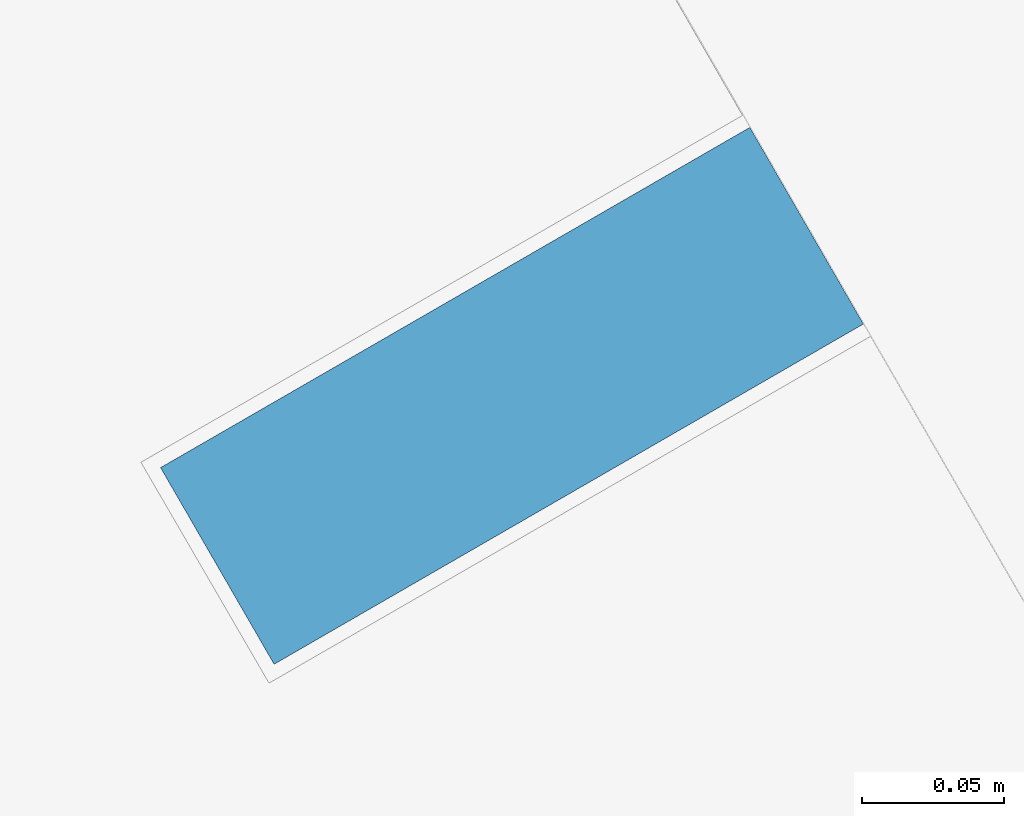
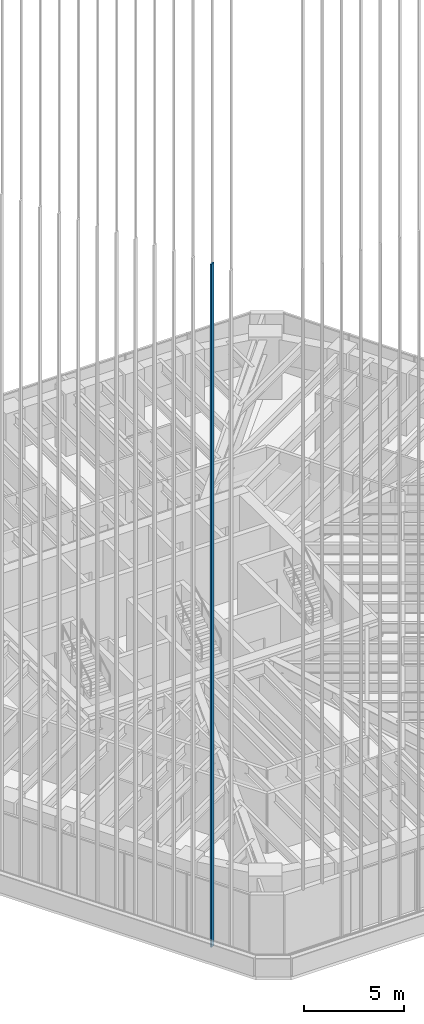
# One storey, part 10 of 127: 1 member, 1 element without a shape of its own.
"""IFC4 building model written with IfcOpenShell, lengths in metres."""

import ifcopenshell
import ifcopenshell.guid

model = None  # the IFC model being written
_history = None  # IfcOwnerHistory: only IFC2X3 demands one
_inside = {}  # id of a spatial element -> (the spatial element, [elements in it])
_under = {}  # id of a project, library or spatial element -> (it, [spatial elements below it])
_declared = {}  # id of a project -> (the project, [libraries it declares])
_typed = {}  # id of a type object -> (the type object, [elements of that type])
_made_of = {}  # id of a material, layer set ... -> (it, [elements and type objects made of it])


def new_model(schema):
    """Start an empty IFC model of exactly this schema.

    Asked for "IFC4X3", IfcOpenShell would pick the latest addendum, in which some entities
    have other attributes; the version numbers below select the first issue.
    IFC2X3 requires an IfcOwnerHistory on every rooted entity: one is made here for all.
    """
    global model, _history
    if schema == "IFC4X3":
        model = ifcopenshell.file(schema_version=(4, 3, 0, 0))
    else:
        model = ifcopenshell.file(schema=schema)
    _inside.clear()
    _under.clear()
    _declared.clear()
    _typed.clear()
    _made_of.clear()
    _history = None
    if model.schema == "IFC2X3":
        org = make("IfcOrganization", Name="unknown")
        user = make(
            "IfcPersonAndOrganization",
            ThePerson=make("IfcPerson", FamilyName="unknown"),
            TheOrganization=org,
        )
        app = make(
            "IfcApplication",
            ApplicationDeveloper=org,
            Version="unknown",
            ApplicationFullName="unknown",
            ApplicationIdentifier="unknown",
        )
        _history = make(
            "IfcOwnerHistory",
            OwningUser=user,
            OwningApplication=app,
            ChangeAction="ADDED",
            CreationDate=0,
        )
    return model


def make(cls, **values):
    """One entity of the class cls with the attributes given. An attribute that is None is left unset."""
    return model.create_entity(
        cls, **{name: value for name, value in values.items() if value is not None}
    )


def rooted(cls, **values):
    """An entity with a GlobalId (a new one), such as an element, a storey or a relation."""
    return make(cls, GlobalId=ifcopenshell.guid.new(), OwnerHistory=_history, **values)


def si_unit(unit_type, name, prefix=None):
    """IfcSIUnit, for example si_unit("LENGTHUNIT", "METRE", prefix="MILLI")."""
    return make("IfcSIUnit", UnitType=unit_type, Prefix=prefix, Name=name)


def assignment(units):
    """IfcUnitAssignment: the units of a project."""
    return None if units is None else make("IfcUnitAssignment", Units=units)


def point(xyz):
    """IfcCartesianPoint."""
    return None if xyz is None else make("IfcCartesianPoint", Coordinates=xyz)


def direction(xyz):
    """IfcDirection."""
    return None if xyz is None else make("IfcDirection", DirectionRatios=xyz)


def frame(location, z_axis=None, x_axis=None):
    """IfcAxis2Placement3D, a coordinate frame: its origin and axes. An axis left out is left unset."""
    return make(
        "IfcAxis2Placement3D",
        Location=point(location),
        Axis=direction(z_axis),
        RefDirection=direction(x_axis),
    )


def frame_2d(location, x_axis=None):
    """IfcAxis2Placement2D, a coordinate frame in the plane: its origin and x axis."""
    return make(
        "IfcAxis2Placement2D", Location=point(location), RefDirection=direction(x_axis)
    )


def origin():
    """The frame at (0, 0, 0) with its axes left unset."""
    return frame((0.0, 0.0, 0.0))


def origin_2d():
    """The frame at (0, 0) in the plane with its x axis left unset."""
    return frame_2d((0.0, 0.0))


def place(relative_to, where):
    """IfcLocalPlacement: puts the frame where relative to a parent placement (None: the world)."""
    return make(
        "IfcLocalPlacement", PlacementRelTo=relative_to, RelativePlacement=where
    )


def context(
    kind, dimensions, precision=None, world=None, true_north=None, identifier=None
):
    """IfcGeometricRepresentationContext, for example the 3D "Model" context."""
    return make(
        "IfcGeometricRepresentationContext",
        ContextIdentifier=identifier,
        ContextType=kind,
        CoordinateSpaceDimension=dimensions,
        Precision=precision,
        WorldCoordinateSystem=world,
        TrueNorth=true_north,
    )


def subcontext(parent, identifier, kind, view, scale=None):
    """IfcGeometricRepresentationSubContext, for example "Body" below "Model"."""
    return make(
        "IfcGeometricRepresentationSubContext",
        ContextIdentifier=identifier,
        ContextType=kind,
        ParentContext=parent,
        TargetScale=scale,
        TargetView=view,
    )


def project(units=None, contexts=None):
    """IfcProject with its units and contexts."""
    return rooted(
        "IfcProject",
        Name="project",
        RepresentationContexts=contexts,
        UnitsInContext=assignment(units),
    )


def spatial(cls, under=None, at=None, **own):
    """A site, building, storey or space (cls), placed at a placement, below another one or the project."""
    s = rooted(cls, ObjectPlacement=at, **own)
    if under is not None:
        _under.setdefault(under.id(), (under, []))[1].append(s)
    return s


def profile(cls, at=None, kind="AREA", **sizes):
    """A parametric profile (cls). Its sizes go by their IFC names, for example OverallWidth=200.0."""
    return make(cls, ProfileType=kind, Position=at, **sizes)


def rectangle(**sizes):
    """IfcRectangleProfileDef."""
    return profile("IfcRectangleProfileDef", **sizes)


def extrude(swept, where, along, depth):
    """IfcExtrudedAreaSolid: the profile swept, set in the frame where, extruded along a direction by depth."""
    return make(
        "IfcExtrudedAreaSolid",
        SweptArea=swept,
        Position=where,
        ExtrudedDirection=direction(along),
        Depth=depth,
    )


def shape(context_of_items, identifier, shape_type, items):
    """IfcShapeRepresentation: the items that make up one representation, for example the "Body"."""
    return make(
        "IfcShapeRepresentation",
        ContextOfItems=context_of_items,
        RepresentationIdentifier=identifier,
        RepresentationType=shape_type,
        Items=items,
    )


def material(Name=None, Category=None):
    """IfcMaterial."""
    return make("IfcMaterial", Name=Name, Category=Category)


def material_profile(
    of_material, cross_section, Name=None, Category=None, Priority=None
):
    """IfcMaterialProfile: a cross section and its material."""
    return make(
        "IfcMaterialProfile",
        Name=Name,
        Material=of_material,
        Profile=cross_section,
        Priority=Priority,
        Category=Category,
    )


def profile_set(profiles, Name=None, composite=None):
    """IfcMaterialProfileSet."""
    return make(
        "IfcMaterialProfileSet",
        Name=Name,
        MaterialProfiles=profiles,
        CompositeProfile=composite,
    )


def made_of(thing, what):
    """Note that an element or type object is made of a material, layer set ...; save() writes the relation."""
    if what is not None:
        _made_of.setdefault(what.id(), (what, []))[1].append(thing)
    return thing


def type_object(cls, material=None, **own):
    """A type object (cls), such as IfcWallType, which elements share."""
    return made_of(rooted(cls, **own), material)


def element(
    cls,
    number,
    at=None,
    inside=None,
    cuts=None,
    type_object=None,
    material=None,
    context=None,
    identifier="Body",
    shape_type=None,
    held_by="IfcProductDefinitionShape",
    body=None,
    shapes=None,
    **own,
):
    """One element of the class cls, such as IfcWall. Its Tag is "e" and its number.

    at: its placement. inside: the storey or other place that contains it. cuts: it is an
    opening in that element (IfcRelVoidsElement). A single representation is given by context,
    identifier, shape_type and body (its items); several are given by shapes. held_by: the class
    of the entity that holds the representations. save() writes the other relations.
    """
    e = rooted(cls, Tag="e%d" % number, ObjectPlacement=at, **own)
    if body is not None:
        shapes = [shape(context, identifier, shape_type, body)]
    if shapes is not None:
        e.Representation = make(held_by, Representations=shapes)
    if inside is not None:
        _inside.setdefault(inside.id(), (inside, []))[1].append(e)
    if cuts is not None:
        rooted(
            "IfcRelVoidsElement", RelatingBuildingElement=cuts, RelatedOpeningElement=e
        )
    if type_object is not None:
        _typed.setdefault(type_object.id(), (type_object, []))[1].append(e)
    return made_of(e, material)


def aggregate(whole, parts):
    """IfcRelAggregates: a whole, such as a stair, and the parts it consists of."""
    return rooted("IfcRelAggregates", RelatingObject=whole, RelatedObjects=parts)


def save(model, path):
    """Write the relations noted so far, then the file.

    IfcRelAggregates (storeys below a building ...), IfcRelContainedInSpatialStructure (elements
    in a storey), IfcRelDefinesByType, IfcRelAssociatesMaterial and IfcRelDeclares: one each for
    every whole, place, type object, material and project.
    """
    for whole, parts in _under.values():
        aggregate(whole, parts)
    for where, things in _inside.values():
        rooted(
            "IfcRelContainedInSpatialStructure",
            RelatedElements=things,
            RelatingStructure=where,
        )
    for kind, things in _typed.values():
        rooted("IfcRelDefinesByType", RelatedObjects=things, RelatingType=kind)
    for what, things in _made_of.values():
        rooted("IfcRelAssociatesMaterial", RelatedObjects=things, RelatingMaterial=what)
    for by, libraries in _declared.values():
        rooted("IfcRelDeclares", RelatingContext=by, RelatedDefinitions=libraries)
    model.write(path)


model = new_model("IFC4")

# Units and contexts
model_context = context("Model", 3, precision=1e-05, world=origin(), true_north=direction((0.0, 1.0)))
body_context = subcontext(model_context, "Body", "Model", "MODEL_VIEW")
ifc_project = project(units=[si_unit("LENGTHUNIT", "METRE"), si_unit("AREAUNIT", "SQUARE_METRE"), si_unit("VOLUMEUNIT", "CUBIC_METRE"), si_unit("PLANEANGLEUNIT", "RADIAN"), si_unit("MASSUNIT", "GRAM", prefix="KILO")], contexts=[model_context])

# Site, building, storey
site_placement = place(None, origin())
site = spatial("IfcSite", under=ifc_project, at=site_placement, CompositionType="ELEMENT")
building_placement = place(site_placement, origin())
building = spatial("IfcBuilding", under=site, at=building_placement, Name="Sandreach Pilgrim Tower", CompositionType="ELEMENT")
storey_placement = place(building_placement, frame((0.0, 0.0, 257.0)))
storey = spatial("IfcBuildingStorey", under=building, at=storey_placement, Name="L64", CompositionType="ELEMENT", Elevation=257.0)

# Curtain wall, member
ifc_material_1 = material(Name="Aluminium framed curtain wall", Category="aluminium")
curtain_wall_type = type_object("IfcCurtainWallType", Name="Suite tower curtain wall", PredefinedType="NOTDEFINED", material=ifc_material_1)
curtain_wall_placement = place(storey_placement, origin())
curtain_wall = element("IfcCurtainWall", 1, at=curtain_wall_placement, inside=storey, type_object=curtain_wall_type, Name="CW-4 L64 SW", PredefinedType="NOTDEFINED")
ifc_material_2 = material(Name="Extruded terracotta on aluminium core", Category="masonry")
ifc_material_profile = material_profile(ifc_material_2, rectangle(XDim=0.080078125, YDim=0.239990234375, at=origin_2d()), Name="TBW 80X240")
ifc_profile_set = profile_set([ifc_material_profile], Name="Extruded terracotta on aluminium core")
member_type = type_object("IfcMemberType", Name="Terracotta baguette west", PredefinedType="USERDEFINED", material=ifc_profile_set)
member_placement = place(storey_placement, frame((-10.3662109375, -22.5380859375, 0.0), z_axis=(0.0, 0.0, 1.0), x_axis=(-0.5, 0.866025403784, 0.0)))
member = element("IfcMember", 2, at=member_placement, type_object=member_type, Name="Baguette Z4 SW02", ObjectType="BAGUETTE", PredefinedType="USERDEFINED", context=body_context, shape_type="SweptSolid", body=[
    extrude(rectangle(XDim=0.080078125, YDim=0.239990234375, at=origin_2d()), origin(), (0.0, 0.0, 1.0), 41.639892578125),
])
aggregate(curtain_wall, [member])

save(model, "model.ifc")
